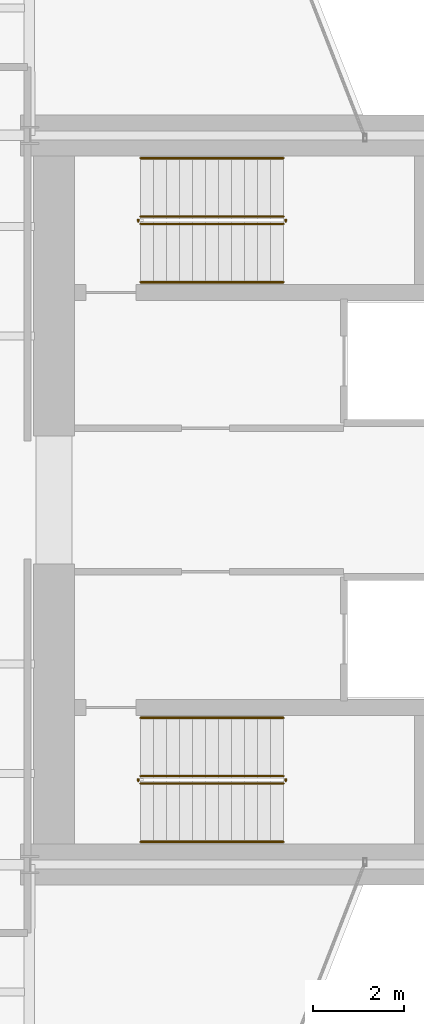
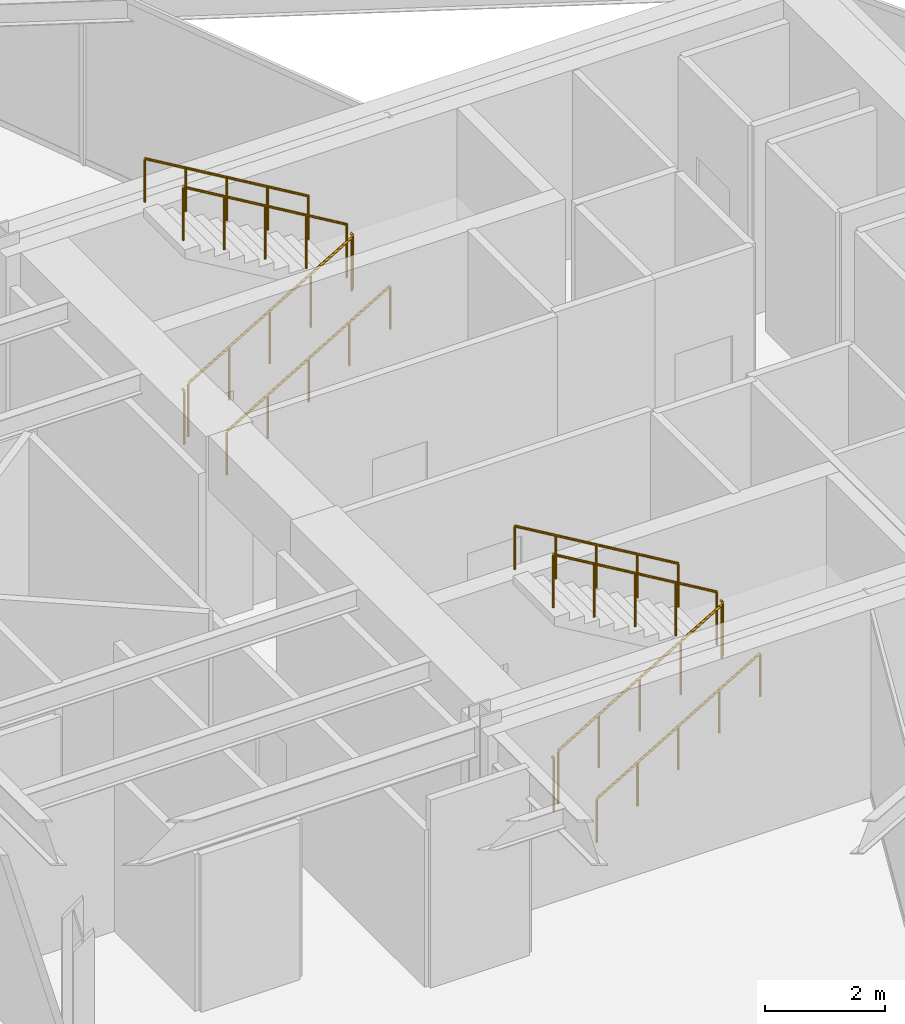
# One storey, part 30 of 30: 12 railings.
"""IFC4 building model written with IfcOpenShell, lengths in metres."""

from ifc_helpers import new_model, si_unit, direction, frame, origin, origin_2d, place, context, subcontext, project, spatial, circle, extrude, material, type_object, element, save


model = new_model("IFC4")

# Units and contexts
model_context = context("Model", 3, precision=1e-05, world=origin(), true_north=direction((0.0, 1.0)))
body_context = subcontext(model_context, "Body", "Model", "MODEL_VIEW")
ifc_project = project(units=[si_unit("LENGTHUNIT", "METRE"), si_unit("AREAUNIT", "SQUARE_METRE"), si_unit("VOLUMEUNIT", "CUBIC_METRE"), si_unit("PLANEANGLEUNIT", "RADIAN"), si_unit("MASSUNIT", "GRAM", prefix="KILO")], contexts=[model_context])

# Site, building, storey
site_placement = place(None, origin())
site = spatial("IfcSite", under=ifc_project, at=site_placement, CompositionType="ELEMENT")
building_placement = place(site_placement, origin())
building = spatial("IfcBuilding", under=site, at=building_placement, Name="Veymaron Broadcast Tower", CompositionType="ELEMENT")
storey_placement = place(building_placement, frame((0.0, 0.0, 54.0)))
storey = spatial("IfcBuildingStorey", under=building, at=storey_placement, Name="L11", CompositionType="ELEMENT", Elevation=54.0)

# Railings
ifc_material_1 = material(Name="Brushed stainless steel AISI 304", Category="steel")
railing_type_1 = type_object("IfcRailingType", Name="RAIL-STAIR-HR", PredefinedType="HANDRAIL", material=ifc_material_1)
railing_1_placement = place(storey_placement, frame((41.429931640625, 28.780029296875, 0.168701171875)))
element("IfcRailing", 1, at=railing_1_placement, inside=storey, type_object=railing_type_1, Name="L11 ST1 stair handrail 1", PredefinedType="HANDRAIL", context=body_context, shape_type="SweptSolid", body=[
    extrude(circle(Radius=0.02392578125, at=origin_2d()), frame((0.0, 0.0, 0.8759765625), z_axis=(0.860481960309, 0.0, 0.509480908359), x_axis=(0.0, 1.0, 0.0)), (0.0, 0.0, 1.0), 3.643310546875),
    extrude(circle(Radius=0.02099609375, at=origin_2d()), origin(), (0.0, 0.0, 1.0), 0.851806640625),
    extrude(circle(Radius=0.02099609375, at=origin_2d()), frame((0.78369140625, 0.0, 0.464111328125)), (0.0, 0.0, 1.0), 0.851806640625),
    extrude(circle(Radius=0.02099609375, at=origin_2d()), frame((1.5673828125, 0.0, 0.92822265625)), (0.0, 0.0, 1.0), 0.851806640625),
    extrude(circle(Radius=0.02099609375, at=origin_2d()), frame((2.351318359375, 0.0, 1.39208984375)), (0.0, 0.0, 1.0), 0.851806640625),
    extrude(circle(Radius=0.02099609375, at=origin_2d()), frame((3.135009765625, 0.0, 1.856201171875)), (0.0, 0.0, 1.0), 0.851806640625),
])
railing_2_placement = place(storey_placement, frame((44.56494140625, 31.5, 2.19384765625)))
element("IfcRailing", 2, at=railing_2_placement, inside=storey, type_object=railing_type_1, Name="L11 ST1 stair handrail 2", PredefinedType="HANDRAIL", context=body_context, shape_type="SweptSolid", body=[
    extrude(circle(Radius=0.02392578125, at=origin_2d()), frame((0.0, 0.0, 0.8759765625), z_axis=(-0.860481960309, 0.0, 0.509480908359), x_axis=(0.0, -1.0, 0.0)), (0.0, 0.0, 1.0), 3.643310546875),
    extrude(circle(Radius=0.02099609375, at=origin_2d()), origin(), (0.0, 0.0, 1.0), 0.851806640625),
    extrude(circle(Radius=0.02099609375, at=origin_2d()), frame((-0.78369140625, 0.0, 0.464111328125)), (0.0, 0.0, 1.0), 0.851806640625),
    extrude(circle(Radius=0.02099609375, at=origin_2d()), frame((-1.5673828125, 0.0, 0.92822265625)), (0.0, 0.0, 1.0), 0.851806640625),
    extrude(circle(Radius=0.02099609375, at=origin_2d()), frame((-2.351318359375, 0.0, 1.39208984375)), (0.0, 0.0, 1.0), 0.851806640625),
    extrude(circle(Radius=0.02099609375, at=origin_2d()), frame((-3.135009765625, 0.0, 1.856201171875)), (0.0, 0.0, 1.0), 0.851806640625),
])
railing_3_placement = place(storey_placement, frame((41.429931640625, 16.5, 0.168701171875)))
element("IfcRailing", 3, at=railing_3_placement, inside=storey, type_object=railing_type_1, Name="L11 ST2 stair handrail 1", PredefinedType="HANDRAIL", context=body_context, shape_type="SweptSolid", body=[
    extrude(circle(Radius=0.02392578125, at=origin_2d()), frame((0.0, 0.0, 0.8759765625), z_axis=(0.860481960309, 0.0, 0.509480908359), x_axis=(0.0, 1.0, 0.0)), (0.0, 0.0, 1.0), 3.643310546875),
    extrude(circle(Radius=0.02099609375, at=origin_2d()), origin(), (0.0, 0.0, 1.0), 0.851806640625),
    extrude(circle(Radius=0.02099609375, at=origin_2d()), frame((0.78369140625, 0.0, 0.464111328125)), (0.0, 0.0, 1.0), 0.851806640625),
    extrude(circle(Radius=0.02099609375, at=origin_2d()), frame((1.5673828125, 0.0, 0.92822265625)), (0.0, 0.0, 1.0), 0.851806640625),
    extrude(circle(Radius=0.02099609375, at=origin_2d()), frame((2.351318359375, 0.0, 1.39208984375)), (0.0, 0.0, 1.0), 0.851806640625),
    extrude(circle(Radius=0.02099609375, at=origin_2d()), frame((3.135009765625, 0.0, 1.856201171875)), (0.0, 0.0, 1.0), 0.851806640625),
])
railing_4_placement = place(storey_placement, frame((44.56494140625, 19.219970703125, 2.19384765625)))
element("IfcRailing", 4, at=railing_4_placement, inside=storey, type_object=railing_type_1, Name="L11 ST2 stair handrail 2", PredefinedType="HANDRAIL", context=body_context, shape_type="SweptSolid", body=[
    extrude(circle(Radius=0.02392578125, at=origin_2d()), frame((0.0, 0.0, 0.8759765625), z_axis=(-0.860481960309, 0.0, 0.509480908359), x_axis=(0.0, -1.0, 0.0)), (0.0, 0.0, 1.0), 3.643310546875),
    extrude(circle(Radius=0.02099609375, at=origin_2d()), origin(), (0.0, 0.0, 1.0), 0.851806640625),
    extrude(circle(Radius=0.02099609375, at=origin_2d()), frame((-0.78369140625, 0.0, 0.464111328125)), (0.0, 0.0, 1.0), 0.851806640625),
    extrude(circle(Radius=0.02099609375, at=origin_2d()), frame((-1.5673828125, 0.0, 0.92822265625)), (0.0, 0.0, 1.0), 0.851806640625),
    extrude(circle(Radius=0.02099609375, at=origin_2d()), frame((-2.351318359375, 0.0, 1.39208984375)), (0.0, 0.0, 1.0), 0.851806640625),
    extrude(circle(Radius=0.02099609375, at=origin_2d()), frame((-3.135009765625, 0.0, 1.856201171875)), (0.0, 0.0, 1.0), 0.851806640625),
])
ifc_material_2 = material(Name="Painted galvanized steel balustrade", Category="steel")
railing_type_2 = type_object("IfcRailingType", Name="RAIL-WELL-GRD", PredefinedType="GUARDRAIL", material=ifc_material_2)
railing_5_placement = place(storey_placement, frame((41.429931640625, 30.06005859375, 0.168701171875)))
element("IfcRailing", 5, at=railing_5_placement, inside=storey, type_object=railing_type_2, Name="L11 ST1 stair guard 1", PredefinedType="GUARDRAIL", context=body_context, shape_type="SweptSolid", body=[
    extrude(circle(Radius=0.02392578125, at=origin_2d()), frame((0.0, 0.0, 1.076171875), z_axis=(0.860481960309, 0.0, 0.509480908359), x_axis=(0.0, 1.0, 0.0)), (0.0, 0.0, 1.0), 3.643310546875),
    extrude(circle(Radius=0.02099609375, at=origin_2d()), origin(), (0.0, 0.0, 1.0), 1.052001953125),
    extrude(circle(Radius=0.02099609375, at=origin_2d()), frame((0.78369140625, 0.0, 0.464111328125)), (0.0, 0.0, 1.0), 1.052001953125),
    extrude(circle(Radius=0.02099609375, at=origin_2d()), frame((1.5673828125, 0.0, 0.92822265625)), (0.0, 0.0, 1.0), 1.052001953125),
    extrude(circle(Radius=0.02099609375, at=origin_2d()), frame((2.351318359375, 0.0, 1.39208984375)), (0.0, 0.0, 1.0), 1.052001953125),
    extrude(circle(Radius=0.02099609375, at=origin_2d()), frame((3.135009765625, 0.0, 1.856201171875)), (0.0, 0.0, 1.0), 1.052001953125),
])
railing_6_placement = place(storey_placement, frame((44.614990234375, 30.110107421875, 2.02490234375)))
element("IfcRailing", 6, at=railing_6_placement, inside=storey, type_object=railing_type_2, Name="L11 ST1 stair guard 2", PredefinedType="GUARDRAIL", context=body_context, shape_type="SweptSolid", body=[
    extrude(circle(Radius=0.02392578125, at=origin_2d()), frame((0.0, 0.0, 1.076171875), z_axis=(0.0, 1.0, 0.0), x_axis=(-1.0, 0.0, 0.0)), (0.0, 0.0, 1.0), 0.059814453125),
    extrude(circle(Radius=0.02099609375, at=origin_2d()), origin(), (0.0, 0.0, 1.0), 1.052001953125),
])
railing_7_placement = place(storey_placement, frame((44.56494140625, 30.219970703125, 2.19384765625)))
element("IfcRailing", 7, at=railing_7_placement, inside=storey, type_object=railing_type_2, Name="L11 ST1 stair guard 3", PredefinedType="GUARDRAIL", context=body_context, shape_type="SweptSolid", body=[
    extrude(circle(Radius=0.02392578125, at=origin_2d()), frame((0.0, 0.0, 1.076171875), z_axis=(-0.860481960309, 0.0, 0.509480908359), x_axis=(0.0, -1.0, 0.0)), (0.0, 0.0, 1.0), 3.643310546875),
    extrude(circle(Radius=0.02099609375, at=origin_2d()), origin(), (0.0, 0.0, 1.0), 1.052001953125),
    extrude(circle(Radius=0.02099609375, at=origin_2d()), frame((-0.78369140625, 0.0, 0.464111328125)), (0.0, 0.0, 1.0), 1.052001953125),
    extrude(circle(Radius=0.02099609375, at=origin_2d()), frame((-1.5673828125, 0.0, 0.92822265625)), (0.0, 0.0, 1.0), 1.052001953125),
    extrude(circle(Radius=0.02099609375, at=origin_2d()), frame((-2.351318359375, 0.0, 1.39208984375)), (0.0, 0.0, 1.0), 1.052001953125),
    extrude(circle(Radius=0.02099609375, at=origin_2d()), frame((-3.135009765625, 0.0, 1.856201171875)), (0.0, 0.0, 1.0), 1.052001953125),
])
railing_8_placement = place(storey_placement, frame((41.3798828125, 30.110107421875, 0.0)))
element("IfcRailing", 8, at=railing_8_placement, inside=storey, type_object=railing_type_2, Name="L11 ST1 stair guard 4", PredefinedType="GUARDRAIL", context=body_context, shape_type="SweptSolid", body=[
    extrude(circle(Radius=0.02392578125, at=origin_2d()), frame((0.0, 0.0, 1.076171875), z_axis=(0.0, 1.0, 0.0), x_axis=(-1.0, 0.0, 0.0)), (0.0, 0.0, 1.0), 0.059814453125),
    extrude(circle(Radius=0.02099609375, at=origin_2d()), origin(), (0.0, 0.0, 1.0), 1.052001953125),
])
railing_9_placement = place(storey_placement, frame((41.429931640625, 17.780029296875, 0.168701171875)))
element("IfcRailing", 9, at=railing_9_placement, inside=storey, type_object=railing_type_2, Name="L11 ST2 stair guard 1", PredefinedType="GUARDRAIL", context=body_context, shape_type="SweptSolid", body=[
    extrude(circle(Radius=0.02392578125, at=origin_2d()), frame((0.0, 0.0, 1.076171875), z_axis=(0.860481960309, 0.0, 0.509480908359), x_axis=(0.0, 1.0, 0.0)), (0.0, 0.0, 1.0), 3.643310546875),
    extrude(circle(Radius=0.02099609375, at=origin_2d()), origin(), (0.0, 0.0, 1.0), 1.052001953125),
    extrude(circle(Radius=0.02099609375, at=origin_2d()), frame((0.78369140625, 0.0, 0.464111328125)), (0.0, 0.0, 1.0), 1.052001953125),
    extrude(circle(Radius=0.02099609375, at=origin_2d()), frame((1.5673828125, 0.0, 0.92822265625)), (0.0, 0.0, 1.0), 1.052001953125),
    extrude(circle(Radius=0.02099609375, at=origin_2d()), frame((2.351318359375, 0.0, 1.39208984375)), (0.0, 0.0, 1.0), 1.052001953125),
    extrude(circle(Radius=0.02099609375, at=origin_2d()), frame((3.135009765625, 0.0, 1.856201171875)), (0.0, 0.0, 1.0), 1.052001953125),
])
railing_10_placement = place(storey_placement, frame((44.614990234375, 17.830078125, 2.02490234375)))
element("IfcRailing", 10, at=railing_10_placement, inside=storey, type_object=railing_type_2, Name="L11 ST2 stair guard 2", PredefinedType="GUARDRAIL", context=body_context, shape_type="SweptSolid", body=[
    extrude(circle(Radius=0.02392578125, at=origin_2d()), frame((0.0, 0.0, 1.076171875), z_axis=(0.0, 1.0, 0.0), x_axis=(-1.0, 0.0, 0.0)), (0.0, 0.0, 1.0), 0.059814453125),
    extrude(circle(Radius=0.02099609375, at=origin_2d()), origin(), (0.0, 0.0, 1.0), 1.052001953125),
])
railing_11_placement = place(storey_placement, frame((44.56494140625, 17.93994140625, 2.19384765625)))
element("IfcRailing", 11, at=railing_11_placement, inside=storey, type_object=railing_type_2, Name="L11 ST2 stair guard 3", PredefinedType="GUARDRAIL", context=body_context, shape_type="SweptSolid", body=[
    extrude(circle(Radius=0.02392578125, at=origin_2d()), frame((0.0, 0.0, 1.076171875), z_axis=(-0.860481960309, 0.0, 0.509480908359), x_axis=(0.0, -1.0, 0.0)), (0.0, 0.0, 1.0), 3.643310546875),
    extrude(circle(Radius=0.02099609375, at=origin_2d()), origin(), (0.0, 0.0, 1.0), 1.052001953125),
    extrude(circle(Radius=0.02099609375, at=origin_2d()), frame((-0.78369140625, 0.0, 0.464111328125)), (0.0, 0.0, 1.0), 1.052001953125),
    extrude(circle(Radius=0.02099609375, at=origin_2d()), frame((-1.5673828125, 0.0, 0.92822265625)), (0.0, 0.0, 1.0), 1.052001953125),
    extrude(circle(Radius=0.02099609375, at=origin_2d()), frame((-2.351318359375, 0.0, 1.39208984375)), (0.0, 0.0, 1.0), 1.052001953125),
    extrude(circle(Radius=0.02099609375, at=origin_2d()), frame((-3.135009765625, 0.0, 1.856201171875)), (0.0, 0.0, 1.0), 1.052001953125),
])
railing_12_placement = place(storey_placement, frame((41.3798828125, 17.830078125, 0.0)))
element("IfcRailing", 12, at=railing_12_placement, inside=storey, type_object=railing_type_2, Name="L11 ST2 stair guard 4", PredefinedType="GUARDRAIL", context=body_context, shape_type="SweptSolid", body=[
    extrude(circle(Radius=0.02392578125, at=origin_2d()), frame((0.0, 0.0, 1.076171875), z_axis=(0.0, 1.0, 0.0), x_axis=(-1.0, 0.0, 0.0)), (0.0, 0.0, 1.0), 0.059814453125),
    extrude(circle(Radius=0.02099609375, at=origin_2d()), origin(), (0.0, 0.0, 1.0), 1.052001953125),
])

save(model, "model.ifc")
